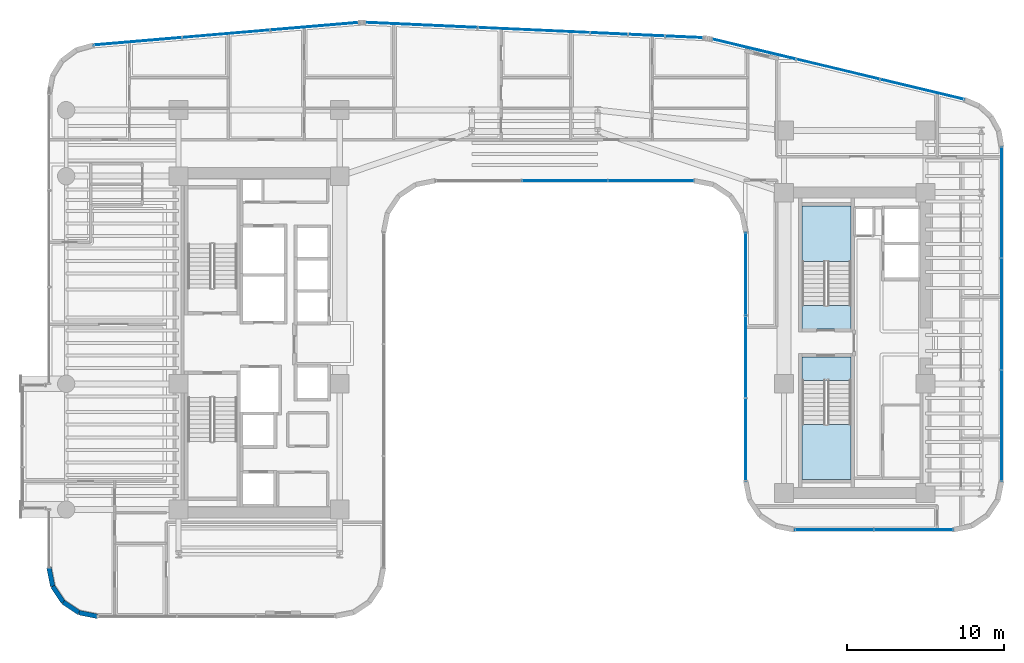
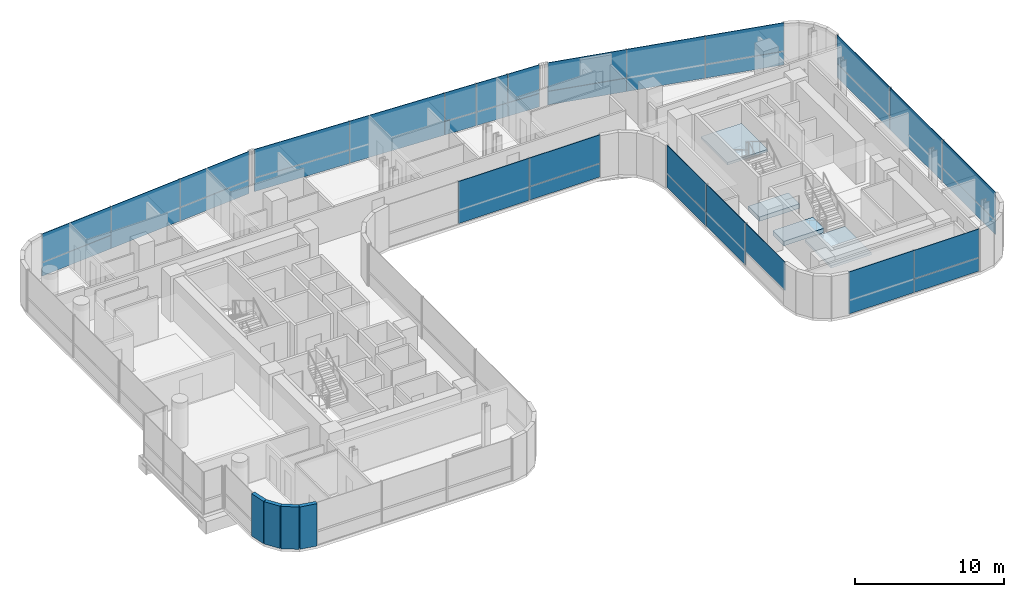
# One storey, part 27 of 37: 34 plates, 4 slabs, 4 walls, 9 elements without a shape of their own.
"""IFC4 building model written with IfcOpenShell, lengths in metres."""

from ifc_helpers import new_model, si_unit, direction, frame, frame_2d, origin, origin_2d, place, context, subcontext, project, spatial, polyline, rectangle, outline, extrude, source, transform, mapped, material, layer, layer_set, type_object, element, aggregate, save


model = new_model("IFC4")

# Units and contexts
model_context = context("Model", 3, precision=1e-05, world=origin(), true_north=direction((0.0, 1.0)))
body_context = subcontext(model_context, "Body", "Model", "MODEL_VIEW")
ifc_project = project(units=[si_unit("LENGTHUNIT", "METRE"), si_unit("AREAUNIT", "SQUARE_METRE"), si_unit("VOLUMEUNIT", "CUBIC_METRE"), si_unit("PLANEANGLEUNIT", "RADIAN"), si_unit("MASSUNIT", "GRAM", prefix="KILO")], contexts=[model_context])

# Site, building, storey
site_placement = place(None, origin())
site = spatial("IfcSite", under=ifc_project, at=site_placement, CompositionType="ELEMENT")
building_placement = place(site_placement, origin())
building = spatial("IfcBuilding", under=site, at=building_placement, Name="Valdorenza Pilgrim Sanctuary Tower", CompositionType="ELEMENT")
storey_placement = place(building_placement, frame((0.0, 0.0, 127.89990234375)))
storey = spatial("IfcBuildingStorey", under=building, at=storey_placement, Name="L32", CompositionType="ELEMENT", Elevation=127.89990234375)

# Stair, slab
ifc_material_1 = material(Name="Concrete C40/50", Category="concrete")
stair_type = type_object("IfcStairType", Name="STR-DOG-CORE", PredefinedType="HALF_TURN_STAIR", material=ifc_material_1)
stair_1_placement = place(storey_placement, origin())
stair_1 = element("IfcStair", 1, at=stair_1_placement, inside=storey, type_object=stair_type, Name="L32 ST-B1", PredefinedType="HALF_TURN_STAIR")
ifc_layer_1 = layer(ifc_material_1, 0.199951171875, Name="Concrete C40/50")
ifc_layer_set_1 = layer_set([ifc_layer_1], Name="Concrete C40/50")
slab_type_1 = type_object("IfcSlabType", Name="SLAB-STL-200", PredefinedType="LANDING", material=ifc_layer_set_1)
slab_1_placement = place(storey_placement, frame((0.0, 0.0, 1.650146484375)))
slab_1 = element("IfcSlab", 2, at=slab_1_placement, type_object=slab_type_1, Name="ST-B1 landing 1", PredefinedType="LANDING", context=body_context, shape_type="SweptSolid", body=[
    extrude(outline(polyline([(20.110107421875, 5.179931640625), (20.110107421875, 8.699951171875), (17.0, 8.699951171875), (17.0, 5.179931640625), (20.110107421875, 5.179931640625)])), origin(), (0.0, 0.0, 1.0), 0.199951171875),
])
aggregate(stair_1, [slab_1])

stair_2_placement = place(storey_placement, origin())
stair_2 = element("IfcStair", 3, at=stair_2_placement, inside=storey, type_object=stair_type, Name="L32 ST-B2", PredefinedType="HALF_TURN_STAIR")
slab_2_placement = place(storey_placement, frame((0.0, 0.0, 1.650146484375)))
slab_2 = element("IfcSlab", 4, at=slab_2_placement, type_object=slab_type_1, Name="ST-B2 landing 1", PredefinedType="LANDING", context=body_context, shape_type="SweptSolid", body=[
    extrude(outline(polyline([(17.0, -5.179931640625), (17.0, -8.699951171875), (20.110107421875, -8.699951171875), (20.110107421875, -5.179931640625), (17.0, -5.179931640625)])), origin(), (0.0, 0.0, 1.0), 0.199951171875),
])
aggregate(stair_2, [slab_2])

# Slabs
ifc_material_2 = material(Name="Concrete C50/60", Category="concrete")
ifc_layer_2 = layer(ifc_material_2, 0.39990234375, Name="Concrete C50/60")
ifc_layer_set_2 = layer_set([ifc_layer_2], Name="Concrete C50/60")
slab_type_2 = type_object("IfcSlabType", Name="SLAB-TRF-400", PredefinedType="FLOOR", material=ifc_layer_set_2)
slab_3_placement = place(storey_placement, frame((0.0, 0.0, -0.35986328125)))
element("IfcSlab", 5, at=slab_3_placement, inside=storey, type_object=slab_type_2, Name="L32 ST-B1 Structural Stair Landing Bearing Slab", PredefinedType="FLOOR", context=body_context, shape_type="SweptSolid", body=[
    extrude(outline(polyline([(17.0, 0.89990234375), (20.110107421875, 0.89990234375), (20.110107421875, 2.385009765625), (17.0, 2.385009765625), (17.0, 0.89990234375)])), origin(), (0.0, 0.0, 1.0), 0.35986328125),
])
slab_4_placement = place(storey_placement, frame((0.0, 0.0, -0.35986328125)))
element("IfcSlab", 6, at=slab_4_placement, inside=storey, type_object=slab_type_2, Name="L32 ST-B2 Structural Stair Landing Bearing Slab", PredefinedType="FLOOR", context=body_context, shape_type="SweptSolid", body=[
    extrude(outline(polyline([(17.0, -2.385009765625), (20.110107421875, -2.385009765625), (20.110107421875, -0.89990234375), (17.0, -0.89990234375), (17.0, -2.385009765625)])), origin(), (0.0, 0.0, 1.0), 0.35986328125),
])

# Curtain wall, plates
ifc_material_3 = material(Name="Curtain-wall IGU glazing", Category="glass")
curtain_wall_type_1 = type_object("IfcCurtainWallType", Name="CW-SYS-02", PredefinedType="NOTDEFINED", material=ifc_material_3)
curtain_wall_1_placement = place(storey_placement, origin())
curtain_wall_1 = element("IfcCurtainWall", 7, at=curtain_wall_1_placement, inside=storey, type_object=curtain_wall_type_1, Name="L32 Curtain Wall CW-L32-1-36", PredefinedType="NOTDEFINED")
ifc_material_4 = material(Name="Honed travertine limestone", Category="masonry")
ifc_layer_3 = layer(ifc_material_4, 0.050048828125, Name="Honed travertine limestone")
ifc_layer_set_3 = layer_set([ifc_layer_3], Name="Honed travertine limestone")
plate_type_1 = type_object("IfcPlateType", Name="CW-SPN-TRV", PredefinedType="USERDEFINED", material=ifc_layer_set_3)
shared_shape_1 = source(origin(), body_context, "Body", "SweptSolid", [
    extrude(rectangle(XDim=5.453857421875, YDim=0.06005859375, at=origin_2d()), origin(), (0.0, 0.0, 1.0), 1.10009765625),
])
plate_1_placement = place(storey_placement, frame((7.373779296875, 10.31005859375, 0.010009765625), z_axis=(0.0, 0.0, 1.0), x_axis=(-1.0, 0.0, 0.0)))
plate_1 = element("IfcPlate", 8, at=plate_1_placement, type_object=plate_type_1, Name="CW-L32-1-36 Travertine Spandrel 1", ObjectType="SPANDREL", PredefinedType="USERDEFINED", context=body_context, shape_type="MappedRepresentation", body=[
    mapped(shared_shape_1, transform((0.0, 0.0, 0.0), x_axis=(1.0, 0.0, 0.0), y_axis=(0.0, 1.0, 0.0), z_axis=(0.0, 0.0, 1.0), scale=1.0)),
])
ifc_material_5 = material(Name="Ceramic-fritted low-E IGU glazing", Category="glass")
ifc_layer_4 = layer(ifc_material_5, 0.035888671875, Name="Ceramic-fritted low-E IGU glazing")
ifc_layer_set_4 = layer_set([ifc_layer_4], Name="Ceramic-fritted low-E IGU glazing")
plate_type_2 = type_object("IfcPlateType", Name="CW-GLZ-IGU", PredefinedType="USERDEFINED", material=ifc_layer_set_4)
shared_shape_2 = source(origin(), body_context, "Body", "SweptSolid", [
    extrude(rectangle(XDim=5.453857421875, YDim=0.050048828125, at=origin_2d()), origin(), (0.0, 0.0, 1.0), 2.320068359375),
])
plate_2_placement = place(storey_placement, frame((7.373779296875, 10.31005859375, 1.1298828125), z_axis=(0.0, 0.0, 1.0), x_axis=(-1.0, 0.0, 0.0)))
plate_2 = element("IfcPlate", 9, at=plate_2_placement, type_object=plate_type_2, Name="CW-L32-1-36 Facade Panel 1", ObjectType="GLAZING", PredefinedType="USERDEFINED", context=body_context, shape_type="MappedRepresentation", body=[
    mapped(shared_shape_2, transform((0.0, 0.0, 0.0), x_axis=(1.0, 0.0, 0.0), y_axis=(0.0, 1.0, 0.0), z_axis=(0.0, 0.0, 1.0), scale=1.0)),
])
shared_shape_3 = source(origin(), body_context, "Body", "SweptSolid", [
    extrude(rectangle(XDim=5.453857421875, YDim=0.050048828125, at=origin_2d()), origin(), (0.0, 0.0, 1.0), 3.43994140625),
])
plate_3_placement = place(storey_placement, frame((1.89990234375, 10.31005859375, 0.010009765625), z_axis=(0.0, 0.0, 1.0), x_axis=(-1.0, 0.0, 0.0)))
plate_3 = element("IfcPlate", 10, at=plate_3_placement, type_object=plate_type_2, Name="CW-L32-1-36 Full-Height Facade Panel 2", ObjectType="GLAZING", PredefinedType="USERDEFINED", context=body_context, shape_type="MappedRepresentation", body=[
    mapped(shared_shape_3, transform((0.0, 0.0, 0.0), x_axis=(1.0, 0.0, 0.0), y_axis=(0.0, 1.0, 0.0), z_axis=(0.0, 0.0, 1.0), scale=1.0)),
])
aggregate(curtain_wall_1, [plate_1, plate_2, plate_3])

curtain_wall_2_placement = place(storey_placement, origin())
curtain_wall_2 = element("IfcCurtainWall", 11, at=curtain_wall_2_placement, inside=storey, type_object=curtain_wall_type_1, Name="L32 Curtain Wall CW-L32-1-6", PredefinedType="NOTDEFINED")
shared_shape_4 = source(origin(), body_context, "Body", "SweptSolid", [
    extrude(rectangle(XDim=5.61767578125, YDim=0.06005859375, at=origin_2d()), origin(), (0.0, 0.0, 1.0), 1.10009765625),
])
plate_4_placement = place(storey_placement, frame((-25.242919921875, 19.178955078125, 0.010009765625), z_axis=(0.0, 0.0, 1.0), x_axis=(0.99640764237, 0.084686541006, 0.0)))
plate_4 = element("IfcPlate", 12, at=plate_4_placement, type_object=plate_type_1, Name="CW-L32-1-6 Travertine Spandrel 1", ObjectType="SPANDREL", PredefinedType="USERDEFINED", context=body_context, shape_type="MappedRepresentation", body=[
    mapped(shared_shape_4, transform((0.0, 0.0, 0.0), x_axis=(1.0, 0.0, 0.0), y_axis=(0.0, 1.0, 0.0), z_axis=(0.0, 0.0, 1.0), scale=1.0)),
])
plate_5_placement = place(storey_placement, frame((-14.008056640625, 20.1337890625, 0.010009765625), z_axis=(0.0, 0.0, 1.0), x_axis=(0.99640764237, 0.084686541006, 0.0)))
plate_5 = element("IfcPlate", 13, at=plate_5_placement, type_object=plate_type_1, Name="CW-L32-1-6 Travertine Spandrel 3", ObjectType="SPANDREL", PredefinedType="USERDEFINED", context=body_context, shape_type="MappedRepresentation", body=[
    mapped(shared_shape_4, transform((0.0, 0.0, 0.0), x_axis=(1.0, 0.0, 0.0), y_axis=(0.0, 1.0, 0.0), z_axis=(0.0, 0.0, 1.0), scale=1.0)),
])

# Curtain wall, plate
curtain_wall_3_placement = place(storey_placement, origin())
curtain_wall_3 = element("IfcCurtainWall", 14, at=curtain_wall_3_placement, inside=storey, type_object=curtain_wall_type_1, Name="L32 Curtain Wall CW-L32-1-11", PredefinedType="NOTDEFINED")
shared_shape_5 = source(origin(), body_context, "Body", "SweptSolid", [
    extrude(rectangle(XDim=7.1494140625, YDim=0.06005859375, at=origin_2d()), origin(), (0.0, 0.0, 1.0), 1.10009765625),
])
plate_6_placement = place(storey_placement, frame((-7.21484375, 20.2177734375, 0.010009765625), z_axis=(0.0, 0.0, 1.0), x_axis=(0.998968193221, -0.045415294044, 0.0)))
plate_6 = element("IfcPlate", 15, at=plate_6_placement, type_object=plate_type_1, Name="CW-L32-1-11 Travertine Spandrel 1", ObjectType="SPANDREL", PredefinedType="USERDEFINED", context=body_context, shape_type="MappedRepresentation", body=[
    mapped(shared_shape_5, transform((0.0, 0.0, 0.0), x_axis=(1.0, 0.0, 0.0), y_axis=(0.0, 1.0, 0.0), z_axis=(0.0, 0.0, 1.0), scale=1.0)),
])

# Curtain wall, plates
curtain_wall_type_2 = type_object("IfcCurtainWallType", Name="CW-SYS-03", PredefinedType="NOTDEFINED", material=ifc_material_3)
curtain_wall_4_placement = place(storey_placement, origin())
curtain_wall_4 = element("IfcCurtainWall", 16, at=curtain_wall_4_placement, inside=storey, type_object=curtain_wall_type_2, Name="L32 Curtain Wall CW-L32-1-16", PredefinedType="NOTDEFINED")
shared_shape_6 = source(origin(), body_context, "Body", "SweptSolid", [
    extrude(rectangle(XDim=5.477294921875, YDim=0.06005859375, at=origin_2d()), origin(), (0.0, 0.0, 1.0), 1.10009765625),
])
plate_7_placement = place(storey_placement, frame((13.944580078125, 18.68212890625, 0.010009765625), z_axis=(0.0, 0.0, 1.0), x_axis=(0.972528596343, -0.232783438617, 0.0)))
plate_7 = element("IfcPlate", 17, at=plate_7_placement, type_object=plate_type_1, Name="CW-L32-1-16 Travertine Spandrel 1", ObjectType="SPANDREL", PredefinedType="USERDEFINED", context=body_context, shape_type="MappedRepresentation", body=[
    mapped(shared_shape_6, transform((0.0, 0.0, 0.0), x_axis=(1.0, 0.0, 0.0), y_axis=(0.0, 1.0, 0.0), z_axis=(0.0, 0.0, 1.0), scale=1.0)),
])
plate_8_placement = place(storey_placement, frame((24.63720703125, 16.122802734375, 0.010009765625), z_axis=(0.0, 0.0, 1.0), x_axis=(0.972528596343, -0.232783438617, 0.0)))
plate_8 = element("IfcPlate", 18, at=plate_8_placement, type_object=plate_type_1, Name="CW-L32-1-16 Travertine Spandrel 3", ObjectType="SPANDREL", PredefinedType="USERDEFINED", context=body_context, shape_type="MappedRepresentation", body=[
    mapped(shared_shape_6, transform((0.0, 0.0, 0.0), x_axis=(1.0, 0.0, 0.0), y_axis=(0.0, 1.0, 0.0), z_axis=(0.0, 0.0, 1.0), scale=1.0)),
])

curtain_wall_5_placement = place(storey_placement, origin())
curtain_wall_5 = element("IfcCurtainWall", 19, at=curtain_wall_5_placement, inside=storey, type_object=curtain_wall_type_2, Name="L32 Curtain Wall CW-L32-1-21", PredefinedType="NOTDEFINED")
shared_shape_7 = source(origin(), body_context, "Body", "SweptSolid", [
    extrude(rectangle(XDim=7.065185546875, YDim=0.06005859375, at=origin_2d()), origin(), (0.0, 0.0, 1.0), 1.10009765625),
])
plate_9_placement = place(storey_placement, frame((29.68994140625, 8.923828125, 0.010009765625), z_axis=(0.0, 0.0, 1.0), x_axis=(0.0, -1.0, 0.0)))
plate_9 = element("IfcPlate", 20, at=plate_9_placement, type_object=plate_type_1, Name="CW-L32-1-21 Travertine Spandrel 1", ObjectType="SPANDREL", PredefinedType="USERDEFINED", context=body_context, shape_type="MappedRepresentation", body=[
    mapped(shared_shape_7, transform((0.0, 0.0, 0.0), x_axis=(1.0, 0.0, 0.0), y_axis=(0.0, 1.0, 0.0), z_axis=(0.0, 0.0, 1.0), scale=1.0)),
])
plate_10_placement = place(storey_placement, frame((29.68994140625, -5.24658203125, 0.010009765625), z_axis=(0.0, 0.0, 1.0), x_axis=(0.0, -1.0, 0.0)))
plate_10 = element("IfcPlate", 21, at=plate_10_placement, type_object=plate_type_1, Name="CW-L32-1-21 Travertine Spandrel 3", ObjectType="SPANDREL", PredefinedType="USERDEFINED", context=body_context, shape_type="MappedRepresentation", body=[
    mapped(shared_shape_7, transform((0.0, 0.0, 0.0), x_axis=(1.0, 0.0, 0.0), y_axis=(0.0, 1.0, 0.0), z_axis=(0.0, 0.0, 1.0), scale=1.0)),
])

# Curtain wall, plate
curtain_wall_6_placement = place(storey_placement, origin())
curtain_wall_6 = element("IfcCurtainWall", 22, at=curtain_wall_6_placement, inside=storey, type_object=curtain_wall_type_2, Name="L32 Curtain Wall CW-L32-1-26", PredefinedType="NOTDEFINED")
shared_shape_8 = source(origin(), body_context, "Body", "SweptSolid", [
    extrude(rectangle(XDim=5.019287109375, YDim=0.06005859375, at=origin_2d()), origin(), (0.0, 0.0, 1.0), 1.10009765625),
])
plate_11_placement = place(storey_placement, frame((24.069580078125, -11.889892578125, 0.010009765625), z_axis=(0.0, 0.0, 1.0), x_axis=(-1.0, 0.0, 0.0)))
plate_11 = element("IfcPlate", 23, at=plate_11_placement, type_object=plate_type_1, Name="CW-L32-1-26 Travertine Spandrel 1", ObjectType="SPANDREL", PredefinedType="USERDEFINED", context=body_context, shape_type="MappedRepresentation", body=[
    mapped(shared_shape_8, transform((0.0, 0.0, 0.0), x_axis=(1.0, 0.0, 0.0), y_axis=(0.0, 1.0, 0.0), z_axis=(0.0, 0.0, 1.0), scale=1.0)),
])

curtain_wall_7_placement = place(storey_placement, origin())
curtain_wall_7 = element("IfcCurtainWall", 24, at=curtain_wall_7_placement, inside=storey, type_object=curtain_wall_type_2, Name="L32 Curtain Wall CW-L32-1-31", PredefinedType="NOTDEFINED")
shared_shape_9 = source(origin(), body_context, "Body", "SweptSolid", [
    extrude(rectangle(XDim=5.24658203125, YDim=0.06005859375, at=origin_2d()), origin(), (0.0, 0.0, 1.0), 1.10009765625),
])
plate_12_placement = place(storey_placement, frame((13.409912109375, 4.37744140625, 0.010009765625), z_axis=(0.0, 0.0, 1.0), x_axis=(0.0, 1.0, 0.0)))
plate_12 = element("IfcPlate", 25, at=plate_12_placement, type_object=plate_type_1, Name="CW-L32-1-31 Travertine Spandrel 3", ObjectType="SPANDREL", PredefinedType="USERDEFINED", context=body_context, shape_type="MappedRepresentation", body=[
    mapped(shared_shape_9, transform((0.0, 0.0, 0.0), x_axis=(1.0, 0.0, 0.0), y_axis=(0.0, 1.0, 0.0), z_axis=(0.0, 0.0, 1.0), scale=1.0)),
])

# Plate
shared_shape_10 = source(origin(), body_context, "Body", "SweptSolid", [
    extrude(rectangle(XDim=5.61767578125, YDim=0.050048828125, at=origin_2d()), origin(), (0.0, 0.0, 1.0), 3.43994140625),
])
plate_13_placement = place(storey_placement, frame((-19.62548828125, 19.656494140625, 0.010009765625), z_axis=(0.0, 0.0, 1.0), x_axis=(0.99640764237, 0.084686541006, 0.0)))
plate_13 = element("IfcPlate", 26, at=plate_13_placement, type_object=plate_type_2, Name="CW-L32-1-6 Full-Height Facade Panel 2", ObjectType="GLAZING", PredefinedType="USERDEFINED", context=body_context, shape_type="MappedRepresentation", body=[
    mapped(shared_shape_10, transform((0.0, 0.0, 0.0), x_axis=(1.0, 0.0, 0.0), y_axis=(0.0, 1.0, 0.0), z_axis=(0.0, 0.0, 1.0), scale=1.0)),
])

shared_shape_11 = source(origin(), body_context, "Body", "SweptSolid", [
    extrude(rectangle(XDim=5.61767578125, YDim=0.050048828125, at=origin_2d()), origin(), (0.0, 0.0, 1.0), 2.320068359375),
])
plate_14_placement = place(storey_placement, frame((-25.242919921875, 19.178955078125, 1.1298828125), z_axis=(0.0, 0.0, 1.0), x_axis=(0.99640764237, 0.084686541006, 0.0)))
plate_14 = element("IfcPlate", 27, at=plate_14_placement, type_object=plate_type_2, Name="CW-L32-1-6 Facade Panel 1", ObjectType="GLAZING", PredefinedType="USERDEFINED", context=body_context, shape_type="MappedRepresentation", body=[
    mapped(shared_shape_11, transform((0.0, 0.0, 0.0), x_axis=(1.0, 0.0, 0.0), y_axis=(0.0, 1.0, 0.0), z_axis=(0.0, 0.0, 1.0), scale=1.0)),
])

plate_15_placement = place(storey_placement, frame((-14.008056640625, 20.1337890625, 1.1298828125), z_axis=(0.0, 0.0, 1.0), x_axis=(0.99640764237, 0.084686541006, 0.0)))
plate_15 = element("IfcPlate", 28, at=plate_15_placement, type_object=plate_type_2, Name="CW-L32-1-6 Facade Panel 3", ObjectType="GLAZING", PredefinedType="USERDEFINED", context=body_context, shape_type="MappedRepresentation", body=[
    mapped(shared_shape_11, transform((0.0, 0.0, 0.0), x_axis=(1.0, 0.0, 0.0), y_axis=(0.0, 1.0, 0.0), z_axis=(0.0, 0.0, 1.0), scale=1.0)),
])

aggregate(curtain_wall_2, [plate_4, plate_14, plate_13, plate_5, plate_15])

shared_shape_12 = source(origin(), body_context, "Body", "SweptSolid", [
    extrude(rectangle(XDim=7.1494140625, YDim=0.050048828125, at=origin_2d()), origin(), (0.0, 0.0, 1.0), 3.43994140625),
])
plate_16_placement = place(storey_placement, frame((-0.052978515625, 19.892333984375, 0.010009765625), z_axis=(0.0, 0.0, 1.0), x_axis=(0.998968193221, -0.045415294044, 0.0)))
plate_16 = element("IfcPlate", 29, at=plate_16_placement, type_object=plate_type_2, Name="CW-L32-1-11 Full-Height Facade Panel 2", ObjectType="GLAZING", PredefinedType="USERDEFINED", context=body_context, shape_type="MappedRepresentation", body=[
    mapped(shared_shape_12, transform((0.0, 0.0, 0.0), x_axis=(1.0, 0.0, 0.0), y_axis=(0.0, 1.0, 0.0), z_axis=(0.0, 0.0, 1.0), scale=1.0)),
])

shared_shape_13 = source(origin(), body_context, "Body", "SweptSolid", [
    extrude(rectangle(XDim=7.1494140625, YDim=0.050048828125, at=origin_2d()), origin(), (0.0, 0.0, 1.0), 2.320068359375),
])
plate_17_placement = place(storey_placement, frame((-7.21484375, 20.2177734375, 1.1298828125), z_axis=(0.0, 0.0, 1.0), x_axis=(0.998968193221, -0.045415294044, 0.0)))
plate_17 = element("IfcPlate", 30, at=plate_17_placement, type_object=plate_type_2, Name="CW-L32-1-11 Facade Panel 1", ObjectType="GLAZING", PredefinedType="USERDEFINED", context=body_context, shape_type="MappedRepresentation", body=[
    mapped(shared_shape_13, transform((0.0, 0.0, 0.0), x_axis=(1.0, 0.0, 0.0), y_axis=(0.0, 1.0, 0.0), z_axis=(0.0, 0.0, 1.0), scale=1.0)),
])

shared_shape_14 = source(origin(), body_context, "Body", "SweptSolid", [
    extrude(rectangle(XDim=5.477294921875, YDim=0.050048828125, at=origin_2d()), origin(), (0.0, 0.0, 1.0), 3.43994140625),
])
plate_18_placement = place(storey_placement, frame((19.291015625, 17.40234375, 0.010009765625), z_axis=(0.0, 0.0, 1.0), x_axis=(0.972528596343, -0.232783438617, 0.0)))
plate_18 = element("IfcPlate", 31, at=plate_18_placement, type_object=plate_type_2, Name="CW-L32-1-16 Full-Height Facade Panel 2", ObjectType="GLAZING", PredefinedType="USERDEFINED", context=body_context, shape_type="MappedRepresentation", body=[
    mapped(shared_shape_14, transform((0.0, 0.0, 0.0), x_axis=(1.0, 0.0, 0.0), y_axis=(0.0, 1.0, 0.0), z_axis=(0.0, 0.0, 1.0), scale=1.0)),
])

shared_shape_15 = source(origin(), body_context, "Body", "SweptSolid", [
    extrude(rectangle(XDim=5.477294921875, YDim=0.050048828125, at=origin_2d()), origin(), (0.0, 0.0, 1.0), 2.320068359375),
])
plate_19_placement = place(storey_placement, frame((13.944580078125, 18.68212890625, 1.1298828125), z_axis=(0.0, 0.0, 1.0), x_axis=(0.972528596343, -0.232783438617, 0.0)))
plate_19 = element("IfcPlate", 32, at=plate_19_placement, type_object=plate_type_2, Name="CW-L32-1-16 Facade Panel 1", ObjectType="GLAZING", PredefinedType="USERDEFINED", context=body_context, shape_type="MappedRepresentation", body=[
    mapped(shared_shape_15, transform((0.0, 0.0, 0.0), x_axis=(1.0, 0.0, 0.0), y_axis=(0.0, 1.0, 0.0), z_axis=(0.0, 0.0, 1.0), scale=1.0)),
])

plate_20_placement = place(storey_placement, frame((24.63720703125, 16.122802734375, 1.1298828125), z_axis=(0.0, 0.0, 1.0), x_axis=(0.972528596343, -0.232783438617, 0.0)))
plate_20 = element("IfcPlate", 33, at=plate_20_placement, type_object=plate_type_2, Name="CW-L32-1-16 Facade Panel 3", ObjectType="GLAZING", PredefinedType="USERDEFINED", context=body_context, shape_type="MappedRepresentation", body=[
    mapped(shared_shape_15, transform((0.0, 0.0, 0.0), x_axis=(1.0, 0.0, 0.0), y_axis=(0.0, 1.0, 0.0), z_axis=(0.0, 0.0, 1.0), scale=1.0)),
])

aggregate(curtain_wall_4, [plate_7, plate_19, plate_18, plate_8, plate_20])

shared_shape_16 = source(origin(), body_context, "Body", "SweptSolid", [
    extrude(rectangle(XDim=7.065185546875, YDim=0.050048828125, at=origin_2d()), origin(), (0.0, 0.0, 1.0), 2.320068359375),
])
plate_21_placement = place(storey_placement, frame((29.68994140625, 8.923828125, 1.1298828125), z_axis=(0.0, 0.0, 1.0), x_axis=(0.0, -1.0, 0.0)))
plate_21 = element("IfcPlate", 34, at=plate_21_placement, type_object=plate_type_2, Name="CW-L32-1-21 Facade Panel 1", ObjectType="GLAZING", PredefinedType="USERDEFINED", context=body_context, shape_type="MappedRepresentation", body=[
    mapped(shared_shape_16, transform((0.0, 0.0, 0.0), x_axis=(1.0, 0.0, 0.0), y_axis=(0.0, 1.0, 0.0), z_axis=(0.0, 0.0, 1.0), scale=1.0)),
])

plate_22_placement = place(storey_placement, frame((29.68994140625, -5.24658203125, 1.1298828125), z_axis=(0.0, 0.0, 1.0), x_axis=(0.0, -1.0, 0.0)))
plate_22 = element("IfcPlate", 35, at=plate_22_placement, type_object=plate_type_2, Name="CW-L32-1-21 Facade Panel 3", ObjectType="GLAZING", PredefinedType="USERDEFINED", context=body_context, shape_type="MappedRepresentation", body=[
    mapped(shared_shape_16, transform((0.0, 0.0, 0.0), x_axis=(1.0, 0.0, 0.0), y_axis=(0.0, 1.0, 0.0), z_axis=(0.0, 0.0, 1.0), scale=1.0)),
])

shared_shape_17 = source(origin(), body_context, "Body", "SweptSolid", [
    extrude(rectangle(XDim=7.065185546875, YDim=0.050048828125, at=origin_2d()), origin(), (0.0, 0.0, 1.0), 3.43994140625),
])
plate_23_placement = place(storey_placement, frame((29.68994140625, 1.838623046875, 0.010009765625), z_axis=(0.0, 0.0, 1.0), x_axis=(0.0, -1.0, 0.0)))
plate_23 = element("IfcPlate", 36, at=plate_23_placement, type_object=plate_type_2, Name="CW-L32-1-21 Full-Height Facade Panel 2", ObjectType="GLAZING", PredefinedType="USERDEFINED", context=body_context, shape_type="MappedRepresentation", body=[
    mapped(shared_shape_17, transform((0.0, 0.0, 0.0), x_axis=(1.0, 0.0, 0.0), y_axis=(0.0, 1.0, 0.0), z_axis=(0.0, 0.0, 1.0), scale=1.0)),
])

aggregate(curtain_wall_5, [plate_9, plate_21, plate_23, plate_10, plate_22])

shared_shape_18 = source(origin(), body_context, "Body", "SweptSolid", [
    extrude(rectangle(XDim=5.019287109375, YDim=0.050048828125, at=origin_2d()), origin(), (0.0, 0.0, 1.0), 2.320068359375),
])
plate_24_placement = place(storey_placement, frame((24.069580078125, -11.889892578125, 1.1298828125), z_axis=(0.0, 0.0, 1.0), x_axis=(-1.0, 0.0, 0.0)))
plate_24 = element("IfcPlate", 37, at=plate_24_placement, type_object=plate_type_2, Name="CW-L32-1-26 Facade Panel 1", ObjectType="GLAZING", PredefinedType="USERDEFINED", context=body_context, shape_type="MappedRepresentation", body=[
    mapped(shared_shape_18, transform((0.0, 0.0, 0.0), x_axis=(1.0, 0.0, 0.0), y_axis=(0.0, 1.0, 0.0), z_axis=(0.0, 0.0, 1.0), scale=1.0)),
])

shared_shape_19 = source(origin(), body_context, "Body", "SweptSolid", [
    extrude(rectangle(XDim=5.019287109375, YDim=0.050048828125, at=origin_2d()), origin(), (0.0, 0.0, 1.0), 3.43994140625),
])
plate_25_placement = place(storey_placement, frame((19.030517578125, -11.889892578125, 0.010009765625), z_axis=(0.0, 0.0, 1.0), x_axis=(-1.0, 0.0, 0.0)))
plate_25 = element("IfcPlate", 38, at=plate_25_placement, type_object=plate_type_2, Name="CW-L32-1-26 Full-Height Facade Panel 2", ObjectType="GLAZING", PredefinedType="USERDEFINED", context=body_context, shape_type="MappedRepresentation", body=[
    mapped(shared_shape_19, transform((0.0, 0.0, 0.0), x_axis=(1.0, 0.0, 0.0), y_axis=(0.0, 1.0, 0.0), z_axis=(0.0, 0.0, 1.0), scale=1.0)),
])

aggregate(curtain_wall_6, [plate_11, plate_24, plate_25])

shared_shape_20 = source(origin(), body_context, "Body", "SweptSolid", [
    extrude(rectangle(XDim=5.24658203125, YDim=0.050048828125, at=origin_2d()), origin(), (0.0, 0.0, 1.0), 2.320068359375),
])
plate_26_placement = place(storey_placement, frame((13.409912109375, -6.156005859375, 1.1298828125), z_axis=(0.0, 0.0, 1.0), x_axis=(0.0, 1.0, 0.0)))
plate_26 = element("IfcPlate", 39, at=plate_26_placement, type_object=plate_type_2, Name="CW-L32-1-31 Facade Panel 1", ObjectType="GLAZING", PredefinedType="USERDEFINED", context=body_context, shape_type="MappedRepresentation", body=[
    mapped(shared_shape_20, transform((0.0, 0.0, 0.0), x_axis=(1.0, 0.0, 0.0), y_axis=(0.0, 1.0, 0.0), z_axis=(0.0, 0.0, 1.0), scale=1.0)),
])

plate_27_placement = place(storey_placement, frame((13.409912109375, 4.37744140625, 1.1298828125), z_axis=(0.0, 0.0, 1.0), x_axis=(0.0, 1.0, 0.0)))
plate_27 = element("IfcPlate", 40, at=plate_27_placement, type_object=plate_type_2, Name="CW-L32-1-31 Facade Panel 3", ObjectType="GLAZING", PredefinedType="USERDEFINED", context=body_context, shape_type="MappedRepresentation", body=[
    mapped(shared_shape_20, transform((0.0, 0.0, 0.0), x_axis=(1.0, 0.0, 0.0), y_axis=(0.0, 1.0, 0.0), z_axis=(0.0, 0.0, 1.0), scale=1.0)),
])

shared_shape_21 = source(origin(), body_context, "Body", "SweptSolid", [
    extrude(rectangle(XDim=5.24658203125, YDim=0.050048828125, at=origin_2d()), origin(), (0.0, 0.0, 1.0), 3.43994140625),
])
plate_28_placement = place(storey_placement, frame((13.409912109375, -0.88916015625, 0.010009765625), z_axis=(0.0, 0.0, 1.0), x_axis=(0.0, 1.0, 0.0)))
plate_28 = element("IfcPlate", 41, at=plate_28_placement, type_object=plate_type_2, Name="CW-L32-1-31 Full-Height Facade Panel 2", ObjectType="GLAZING", PredefinedType="USERDEFINED", context=body_context, shape_type="MappedRepresentation", body=[
    mapped(shared_shape_21, transform((0.0, 0.0, 0.0), x_axis=(1.0, 0.0, 0.0), y_axis=(0.0, 1.0, 0.0), z_axis=(0.0, 0.0, 1.0), scale=1.0)),
])

aggregate(curtain_wall_7, [plate_26, plate_28, plate_12, plate_27])

shared_shape_22 = source(origin(), body_context, "Body", "SweptSolid", [
    extrude(rectangle(XDim=2.363037109375, YDim=0.050048828125, at=origin_2d()), origin(), (0.0, 0.0, 1.0), 2.320068359375),
])
plate_29_placement = place(storey_placement, frame((4.728515625, 19.675048828125, 1.1298828125), z_axis=(0.0, 0.0, 1.0), x_axis=(0.998968193221, -0.045415294044, 0.0)))
plate_29 = element("IfcPlate", 42, at=plate_29_placement, type_object=plate_type_2, Name="CW-L32-1-11 Facade Panel 3 Sub 1", ObjectType="GLAZING", PredefinedType="USERDEFINED", context=body_context, shape_type="MappedRepresentation", body=[
    mapped(shared_shape_22, transform((0.0, 0.0, 0.0), x_axis=(1.0, 0.0, 0.0), y_axis=(0.0, 1.0, 0.0), z_axis=(0.0, 0.0, 1.0), scale=1.0)),
])

plate_30_placement = place(storey_placement, frame((7.10888671875, 19.56689453125, 1.1298828125), z_axis=(0.0, 0.0, 1.0), x_axis=(0.998968193221, -0.045415294044, 0.0)))
plate_30 = element("IfcPlate", 43, at=plate_30_placement, type_object=plate_type_2, Name="CW-L32-1-11 Facade Panel 3 Sub 2", ObjectType="GLAZING", PredefinedType="USERDEFINED", context=body_context, shape_type="MappedRepresentation", body=[
    mapped(shared_shape_22, transform((0.0, 0.0, 0.0), x_axis=(1.0, 0.0, 0.0), y_axis=(0.0, 1.0, 0.0), z_axis=(0.0, 0.0, 1.0), scale=1.0)),
])

plate_31_placement = place(storey_placement, frame((9.489501953125, 19.45849609375, 1.1298828125), z_axis=(0.0, 0.0, 1.0), x_axis=(0.998968193221, -0.045415294044, 0.0)))
plate_31 = element("IfcPlate", 44, at=plate_31_placement, type_object=plate_type_2, Name="CW-L32-1-11 Facade Panel 3 Sub 3", ObjectType="GLAZING", PredefinedType="USERDEFINED", context=body_context, shape_type="MappedRepresentation", body=[
    mapped(shared_shape_22, transform((0.0, 0.0, 0.0), x_axis=(1.0, 0.0, 0.0), y_axis=(0.0, 1.0, 0.0), z_axis=(0.0, 0.0, 1.0), scale=1.0)),
])

shared_shape_23 = source(origin(), body_context, "Body", "SweptSolid", [
    extrude(rectangle(XDim=2.363037109375, YDim=0.06005859375, at=origin_2d()), origin(), (0.0, 0.0, 1.0), 1.10009765625),
])
plate_32_placement = place(storey_placement, frame((4.728515625, 19.675048828125, 0.010009765625), z_axis=(0.0, 0.0, 1.0), x_axis=(0.998968193221, -0.045415294044, 0.0)))
plate_32 = element("IfcPlate", 45, at=plate_32_placement, type_object=plate_type_1, Name="CW-L32-1-11 Travertine Spandrel 3 Sub 1", ObjectType="SPANDREL", PredefinedType="USERDEFINED", context=body_context, shape_type="MappedRepresentation", body=[
    mapped(shared_shape_23, transform((0.0, 0.0, 0.0), x_axis=(1.0, 0.0, 0.0), y_axis=(0.0, 1.0, 0.0), z_axis=(0.0, 0.0, 1.0), scale=1.0)),
])

plate_33_placement = place(storey_placement, frame((7.10888671875, 19.56689453125, 0.010009765625), z_axis=(0.0, 0.0, 1.0), x_axis=(0.998968193221, -0.045415294044, 0.0)))
plate_33 = element("IfcPlate", 46, at=plate_33_placement, type_object=plate_type_1, Name="CW-L32-1-11 Travertine Spandrel 3 Sub 2", ObjectType="SPANDREL", PredefinedType="USERDEFINED", context=body_context, shape_type="MappedRepresentation", body=[
    mapped(shared_shape_23, transform((0.0, 0.0, 0.0), x_axis=(1.0, 0.0, 0.0), y_axis=(0.0, 1.0, 0.0), z_axis=(0.0, 0.0, 1.0), scale=1.0)),
])

plate_34_placement = place(storey_placement, frame((9.489501953125, 19.45849609375, 0.010009765625), z_axis=(0.0, 0.0, 1.0), x_axis=(0.998968193221, -0.045415294044, 0.0)))
plate_34 = element("IfcPlate", 47, at=plate_34_placement, type_object=plate_type_1, Name="CW-L32-1-11 Travertine Spandrel 3 Sub 3", ObjectType="SPANDREL", PredefinedType="USERDEFINED", context=body_context, shape_type="MappedRepresentation", body=[
    mapped(shared_shape_23, transform((0.0, 0.0, 0.0), x_axis=(1.0, 0.0, 0.0), y_axis=(0.0, 1.0, 0.0), z_axis=(0.0, 0.0, 1.0), scale=1.0)),
])

aggregate(curtain_wall_3, [plate_6, plate_17, plate_16, plate_29, plate_32, plate_30, plate_33, plate_31, plate_34])

# Walls
ifc_layer_5 = layer(ifc_material_4, 0.300048828125, Name="Honed travertine limestone")
ifc_layer_set_5 = layer_set([ifc_layer_5], Name="Honed travertine limestone")
wall_type = type_object("IfcWallType", Name="WAL-EXT-300", PredefinedType="SOLIDWALL", material=ifc_layer_set_5)
wall_1_placement = place(storey_placement, frame((-27.789306640625, -17.389892578125, 0.0), z_axis=(0.0, 0.0, 1.0), x_axis=(-0.980804027463, 0.194996050505, 0.0)))
element("IfcWall", 48, at=wall_1_placement, inside=storey, type_object=wall_type, Name="L32 Rounded Wind-Corner Stone Pier 47", PredefinedType="SOLIDWALL", context=body_context, shape_type="SweptSolid", body=[
    extrude(rectangle(XDim=1.2158203125, YDim=0.300048828125, at=frame_2d((0.60791015625, 0.0))), origin(), (0.0, 0.0, 1.0), 3.460205078125),
])
for number, where, z_axis, x_axis, name in (
    (49, (-28.981689453125, -17.15283203125, 0.0), (0.0, 0.0, 1.0), (-0.831426265255, 0.555635100982, 0.0), "L32 Rounded Wind-Corner Stone Pier 48"),
    (50, (-29.9833984375, -16.4833984375, 0.0), (0.0, 0.0, 1.0), (-0.555635100982, 0.831426265255, 0.0), "L32 Rounded Wind-Corner Stone Pier 49"),
):
    element("IfcWall", number, at=place(storey_placement, frame(where, z_axis=z_axis, x_axis=x_axis)), inside=storey, type_object=wall_type, Name=name, PredefinedType="SOLIDWALL", context=body_context, shape_type="SweptSolid", body=[
        extrude(rectangle(XDim=1.204833984375, YDim=0.300048828125, at=frame_2d((0.6025390625, 0.0))), origin(), (0.0, 0.0, 1.0), 3.460205078125),
    ])
wall_2_placement = place(storey_placement, frame((-30.65283203125, -15.481689453125, 0.0), z_axis=(0.0, 0.0, 1.0), x_axis=(-0.194996050505, 0.980804027463, 0.0)))
element("IfcWall", 51, at=wall_2_placement, inside=storey, type_object=wall_type, Name="L32 Rounded Wind-Corner Stone Pier 50", PredefinedType="SOLIDWALL", context=body_context, shape_type="SweptSolid", body=[
    extrude(rectangle(XDim=1.2158203125, YDim=0.300048828125, at=frame_2d((0.60791015625, 0.0))), origin(), (0.0, 0.0, 1.0), 3.460205078125),
])

save(model, "model.ifc")
